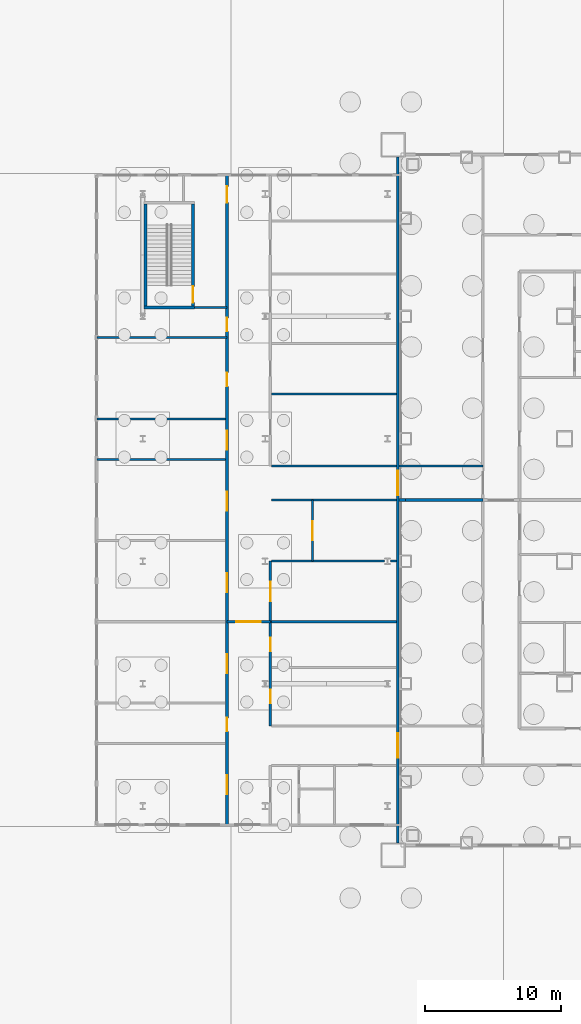
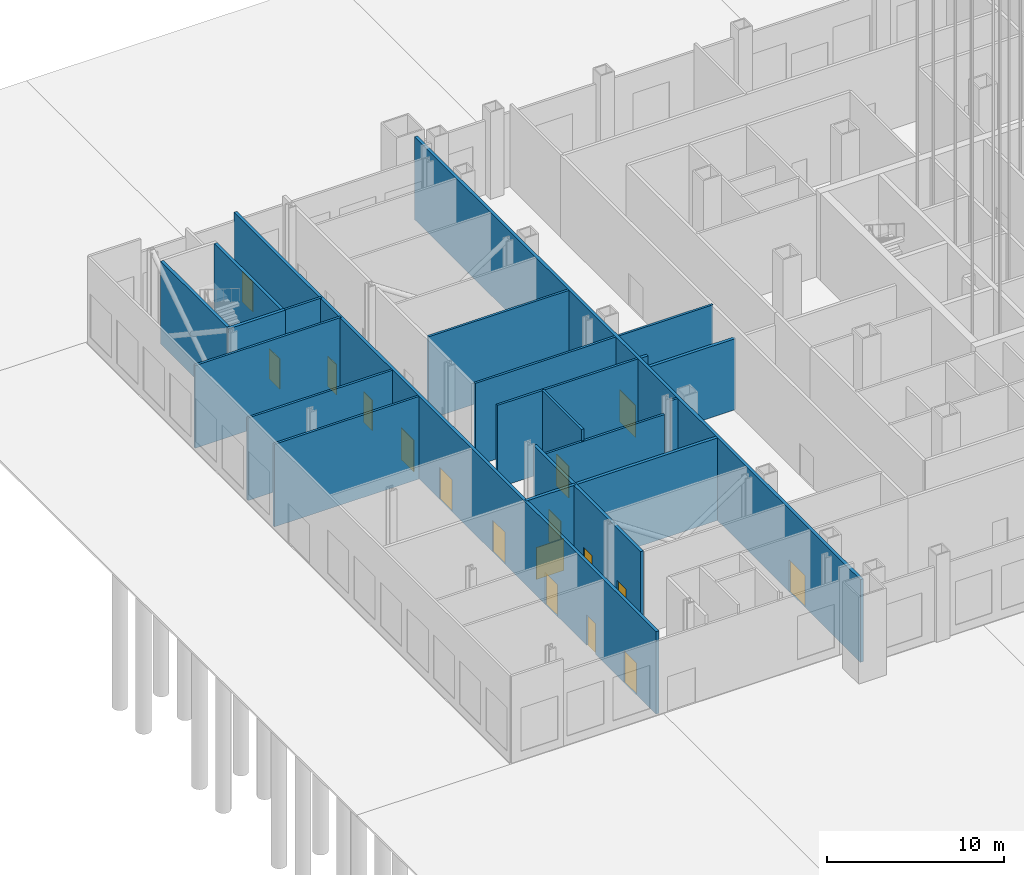
# One storey, part 6 of 36: 21 walls, 17 doors, 17 openings.
"""IFC4 building model written with IfcOpenShell, lengths in metres."""

from ifc_helpers import new_model, si_unit, direction, frame, frame_2d, origin, place, context, subcontext, project, spatial, rectangle, extrude, material, layer, layer_set, type_object, element, fill, save


model = new_model("IFC4")

# Units and contexts
model_context = context("Model", 3, precision=1e-05, world=origin(), true_north=direction((0.0, 1.0)))
body_context = subcontext(model_context, "Body", "Model", "MODEL_VIEW")
ifc_project = project(units=[si_unit("LENGTHUNIT", "METRE"), si_unit("AREAUNIT", "SQUARE_METRE"), si_unit("VOLUMEUNIT", "CUBIC_METRE"), si_unit("PLANEANGLEUNIT", "RADIAN"), si_unit("MASSUNIT", "GRAM", prefix="KILO")], contexts=[model_context])

# Site, building, storey
site_placement = place(None, origin())
site = spatial("IfcSite", under=ifc_project, at=site_placement, CompositionType="ELEMENT")
building_placement = place(site_placement, origin())
building = spatial("IfcBuilding", under=site, at=building_placement, Name="Malebo Sky Hospital", CompositionType="ELEMENT")
storey_placement = place(building_placement, origin())
storey = spatial("IfcBuildingStorey", under=building, at=storey_placement, Name="L00", CompositionType="ELEMENT", Elevation=0.0)

# Wall, openings, doors
ifc_material_1 = material(Name="Gypsum board on steel studs", Category="steel")
ifc_layer_1 = layer(ifc_material_1, 0.199951171875)
ifc_layer_set_1 = layer_set([ifc_layer_1], Name="CORRIDOR WALL 200")
wall_type_1 = type_object("IfcWallType", Name="CORRIDOR WALL 200", PredefinedType="PARTITIONING", material=ifc_layer_set_1)
wall_1_placement = place(storey_placement, frame((21.693115234375, 38.14990234375, 0.0), z_axis=(0.0, 0.0, 1.0), x_axis=(0.0, 1.0, 0.0)))
wall_1 = element("IfcWall", 1, at=wall_1_placement, inside=storey, type_object=wall_type_1, Name="Corridor Wall 200 WWC1", PredefinedType="PARTITIONING", context=body_context, shape_type="SweptSolid", body=[
    extrude(rectangle(XDim=47.7001953125, YDim=0.199951171875, at=frame_2d((23.85009765625, 0.0))), origin(), (0.0, 0.0, 1.0), 5.699951171875),
])
opening_1_placement = place(wall_1_placement, frame((45.699951171875, 0.0, 0.0)))
opening_1 = element("IfcOpeningElement", 2, at=opening_1_placement, cuts=wall_1, Name="Opening D08", PredefinedType="OPENING", context=body_context, shape_type="SweptSolid", body=[
    extrude(rectangle(XDim=1.199951171875, YDim=2.10009765625, at=frame_2d((0.60009765625, 1.050048828125))), frame((0.0, 0.10986328125, 0.0), z_axis=(0.0, -1.0, 0.0), x_axis=(1.0, 0.0, 0.0)), (0.0, 0.0, 1.0), 0.219970703125),
])
opening_2_placement = place(wall_1_placement, frame((36.24365234375, 0.0, 0.0)))
opening_2 = element("IfcOpeningElement", 3, at=opening_2_placement, cuts=wall_1, Name="Opening D03", PredefinedType="OPENING", context=body_context, shape_type="SweptSolid", body=[
    extrude(rectangle(XDim=1.0, YDim=2.10009765625, at=frame_2d((0.5, 1.050048828125))), frame((0.0, 0.10986328125, 0.0), z_axis=(0.0, -1.0, 0.0), x_axis=(1.0, 0.0, 0.0)), (0.0, 0.0, 1.0), 0.219970703125),
])
opening_3_placement = place(wall_1_placement, frame((2.221923828125, 0.0, 0.0)))
opening_3 = element("IfcOpeningElement", 4, at=opening_3_placement, cuts=wall_1, Name="Opening D25", PredefinedType="OPENING", context=body_context, shape_type="SweptSolid", body=[
    extrude(rectangle(XDim=1.39990234375, YDim=2.199951171875, at=frame_2d((0.699951171875, 1.10009765625))), frame((0.0, 0.10986328125, 0.0), z_axis=(0.0, -1.0, 0.0), x_axis=(1.0, 0.0, 0.0)), (0.0, 0.0, 1.0), 0.219970703125),
])
opening_4_placement = place(wall_1_placement, frame((6.8359375, 0.0, 0.0)))
opening_4 = element("IfcOpeningElement", 5, at=opening_4_placement, cuts=wall_1, Name="Opening D03", PredefinedType="OPENING", context=body_context, shape_type="SweptSolid", body=[
    extrude(rectangle(XDim=1.0, YDim=2.10009765625, at=frame_2d((0.5, 1.050048828125))), frame((0.0, 0.10986328125, 0.0), z_axis=(0.0, -1.0, 0.0), x_axis=(1.0, 0.0, 0.0)), (0.0, 0.0, 1.0), 0.219970703125),
])
opening_5_placement = place(wall_1_placement, frame((11.112548828125, 0.0, 0.0)))
opening_5 = element("IfcOpeningElement", 6, at=opening_5_placement, cuts=wall_1, Name="Opening D25", PredefinedType="OPENING", context=body_context, shape_type="SweptSolid", body=[
    extrude(rectangle(XDim=1.39990234375, YDim=2.199951171875, at=frame_2d((0.699951171875, 1.10009765625))), frame((0.0, 0.10986328125, 0.0), z_axis=(0.0, -1.0, 0.0), x_axis=(1.0, 0.0, 0.0)), (0.0, 0.0, 1.0), 0.219970703125),
])
opening_6_placement = place(wall_1_placement, frame((17.081298828125, 0.0, 0.0)))
opening_6 = element("IfcOpeningElement", 7, at=opening_6_placement, cuts=wall_1, Name="Opening D25", PredefinedType="OPENING", context=body_context, shape_type="SweptSolid", body=[
    extrude(rectangle(XDim=1.39990234375, YDim=2.199951171875, at=frame_2d((0.699951171875, 1.10009765625))), frame((0.0, 0.10986328125, 0.0), z_axis=(0.0, -1.0, 0.0), x_axis=(1.0, 0.0, 0.0)), (0.0, 0.0, 1.0), 0.219970703125),
])
opening_7_placement = place(wall_1_placement, frame((23.050048828125, 0.0, 0.0)))
opening_7 = element("IfcOpeningElement", 8, at=opening_7_placement, cuts=wall_1, Name="Opening D25", PredefinedType="OPENING", context=body_context, shape_type="SweptSolid", body=[
    extrude(rectangle(XDim=1.39990234375, YDim=2.199951171875, at=frame_2d((0.699951171875, 1.10009765625))), frame((0.0, 0.10986328125, 0.0), z_axis=(0.0, -1.0, 0.0), x_axis=(1.0, 0.0, 0.0)), (0.0, 0.0, 1.0), 0.219970703125),
])
opening_8_placement = place(wall_1_placement, frame((27.526611328125, 0.0, 0.0)))
opening_8 = element("IfcOpeningElement", 9, at=opening_8_placement, cuts=wall_1, Name="Opening D25", PredefinedType="OPENING", context=body_context, shape_type="SweptSolid", body=[
    extrude(rectangle(XDim=1.39990234375, YDim=2.199951171875, at=frame_2d((0.699951171875, 1.10009765625))), frame((0.0, 0.10986328125, 0.0), z_axis=(0.0, -1.0, 0.0), x_axis=(1.0, 0.0, 0.0)), (0.0, 0.0, 1.0), 0.219970703125),
])
opening_9_placement = place(wall_1_placement, frame((32.203125, 0.0, 0.0)))
opening_9 = element("IfcOpeningElement", 10, at=opening_9_placement, cuts=wall_1, Name="Opening D03", PredefinedType="OPENING", context=body_context, shape_type="SweptSolid", body=[
    extrude(rectangle(XDim=1.0, YDim=2.10009765625, at=frame_2d((0.5, 1.050048828125))), frame((0.0, 0.10986328125, 0.0), z_axis=(0.0, -1.0, 0.0), x_axis=(1.0, 0.0, 0.0)), (0.0, 0.0, 1.0), 0.219970703125),
])
ifc_material_2 = material(Name="Hardwood-faced door leaf in steel frame", Category="steel")
door_type_1 = type_object("IfcDoorType", Name="BED DOOR PAIR 1400", OperationType="DOUBLE_DOOR_SINGLE_SWING", PredefinedType="DOOR", material=ifc_material_2)
door_1_placement = place(opening_3_placement, origin())
door_1 = element("IfcDoor", 11, at=door_1_placement, inside=storey, type_object=door_type_1, Name="Resuscitation room door", OperationType="DOUBLE_DOOR_SINGLE_SWING", OverallHeight=2.199951171875, OverallWidth=1.39990234375, PredefinedType="DOOR", context=body_context, shape_type="SweptSolid", body=[
    extrude(rectangle(XDim=1.39990234375, YDim=2.199951171875, at=frame_2d((0.699951171875, 1.10009765625))), frame((0.0, 0.02490234375, 0.0), z_axis=(0.0, -1.0, 0.0), x_axis=(1.0, 0.0, 0.0)), (0.0, 0.0, 1.0), 0.050048828125),
])
fill(opening_3, door_1)
door_2_placement = place(opening_5_placement, origin())
door_2 = element("IfcDoor", 12, at=door_2_placement, inside=storey, type_object=door_type_1, Name="Majors treatment bay door", OperationType="DOUBLE_DOOR_SINGLE_SWING", OverallHeight=2.199951171875, OverallWidth=1.39990234375, PredefinedType="DOOR", context=body_context, shape_type="SweptSolid", body=[
    extrude(rectangle(XDim=1.39990234375, YDim=2.199951171875, at=frame_2d((0.699951171875, 1.10009765625))), frame((0.0, 0.02490234375, 0.0), z_axis=(0.0, -1.0, 0.0), x_axis=(1.0, 0.0, 0.0)), (0.0, 0.0, 1.0), 0.050048828125),
])
fill(opening_5, door_2)
door_3_placement = place(opening_6_placement, origin())
door_3 = element("IfcDoor", 13, at=door_3_placement, inside=storey, type_object=door_type_1, Name="Paediatric emergency room door", OperationType="DOUBLE_DOOR_SINGLE_SWING", OverallHeight=2.199951171875, OverallWidth=1.39990234375, PredefinedType="DOOR", context=body_context, shape_type="SweptSolid", body=[
    extrude(rectangle(XDim=1.39990234375, YDim=2.199951171875, at=frame_2d((0.699951171875, 1.10009765625))), frame((0.0, 0.02490234375, 0.0), z_axis=(0.0, -1.0, 0.0), x_axis=(1.0, 0.0, 0.0)), (0.0, 0.0, 1.0), 0.050048828125),
])
fill(opening_6, door_3)
door_4_placement = place(opening_7_placement, origin())
door_4 = element("IfcDoor", 14, at=door_4_placement, inside=storey, type_object=door_type_1, Name="Ambulance reception door", OperationType="DOUBLE_DOOR_SINGLE_SWING", OverallHeight=2.199951171875, OverallWidth=1.39990234375, PredefinedType="DOOR", context=body_context, shape_type="SweptSolid", body=[
    extrude(rectangle(XDim=1.39990234375, YDim=2.199951171875, at=frame_2d((0.699951171875, 1.10009765625))), frame((0.0, 0.02490234375, 0.0), z_axis=(0.0, -1.0, 0.0), x_axis=(1.0, 0.0, 0.0)), (0.0, 0.0, 1.0), 0.050048828125),
])
fill(opening_7, door_4)
door_5_placement = place(opening_8_placement, origin())
door_5 = element("IfcDoor", 15, at=door_5_placement, inside=storey, type_object=door_type_1, Name="Decontamination room door", OperationType="DOUBLE_DOOR_SINGLE_SWING", OverallHeight=2.199951171875, OverallWidth=1.39990234375, PredefinedType="DOOR", context=body_context, shape_type="SweptSolid", body=[
    extrude(rectangle(XDim=1.39990234375, YDim=2.199951171875, at=frame_2d((0.699951171875, 1.10009765625))), frame((0.0, 0.02490234375, 0.0), z_axis=(0.0, -1.0, 0.0), x_axis=(1.0, 0.0, 0.0)), (0.0, 0.0, 1.0), 0.050048828125),
])
fill(opening_8, door_5)
door_type_2 = type_object("IfcDoorType", Name="ROOM DOOR 1000", OperationType="SINGLE_SWING_LEFT", PredefinedType="DOOR", material=ifc_material_2)
door_6_placement = place(opening_2_placement, origin())
door_6 = element("IfcDoor", 16, at=door_6_placement, inside=storey, type_object=door_type_2, Name="Emergency equipment store door", OperationType="SINGLE_SWING_LEFT", OverallHeight=2.10009765625, OverallWidth=1.0, PredefinedType="DOOR", context=body_context, shape_type="SweptSolid", body=[
    extrude(rectangle(XDim=1.0, YDim=2.10009765625, at=frame_2d((0.5, 1.050048828125))), frame((0.0, 0.02490234375, 0.0), z_axis=(0.0, -1.0, 0.0), x_axis=(1.0, 0.0, 0.0)), (0.0, 0.0, 1.0), 0.050048828125),
])
fill(opening_2, door_6)
door_7_placement = place(opening_4_placement, origin())
door_7 = element("IfcDoor", 17, at=door_7_placement, inside=storey, type_object=door_type_2, Name="Plaster room door", OperationType="SINGLE_SWING_LEFT", OverallHeight=2.10009765625, OverallWidth=1.0, PredefinedType="DOOR", context=body_context, shape_type="SweptSolid", body=[
    extrude(rectangle(XDim=1.0, YDim=2.10009765625, at=frame_2d((0.5, 1.050048828125))), frame((0.0, 0.02490234375, 0.0), z_axis=(0.0, -1.0, 0.0), x_axis=(1.0, 0.0, 0.0)), (0.0, 0.0, 1.0), 0.050048828125),
])
fill(opening_4, door_7)
door_8_placement = place(opening_9_placement, origin())
door_8 = element("IfcDoor", 18, at=door_8_placement, inside=storey, type_object=door_type_2, Name="Emergency staff base door", OperationType="SINGLE_SWING_LEFT", OverallHeight=2.10009765625, OverallWidth=1.0, PredefinedType="DOOR", context=body_context, shape_type="SweptSolid", body=[
    extrude(rectangle(XDim=1.0, YDim=2.10009765625, at=frame_2d((0.5, 1.050048828125))), frame((0.0, 0.02490234375, 0.0), z_axis=(0.0, -1.0, 0.0), x_axis=(1.0, 0.0, 0.0)), (0.0, 0.0, 1.0), 0.050048828125),
])
fill(opening_9, door_8)
door_type_3 = type_object("IfcDoorType", Name="STAIR DOOR 1200", OperationType="SINGLE_SWING_LEFT", PredefinedType="DOOR", material=ifc_material_2)
door_9_placement = place(opening_1_placement, frame((1.199951171875, 0.0, 0.0), z_axis=(0.0, 0.0, 1.0), x_axis=(-1.0, 0.0, 0.0)))
door_9 = element("IfcDoor", 19, at=door_9_placement, inside=storey, type_object=door_type_3, Name="Stair lobby door", OperationType="SINGLE_SWING_LEFT", OverallHeight=2.10009765625, OverallWidth=1.199951171875, PredefinedType="DOOR", context=body_context, shape_type="SweptSolid", body=[
    extrude(rectangle(XDim=1.199951171875, YDim=2.10009765625, at=frame_2d((0.60009765625, 1.050048828125))), frame((0.0, 0.02490234375, 0.0), z_axis=(0.0, -1.0, 0.0), x_axis=(1.0, 0.0, 0.0)), (0.0, 0.0, 1.0), 0.050048828125),
])
fill(opening_1, door_9)

wall_2_placement = place(storey_placement, frame((24.882080078125, 45.39990234375, 0.0), z_axis=(0.0, 0.0, 1.0), x_axis=(0.0, 1.0, 0.0)))
wall_2 = element("IfcWall", 20, at=wall_2_placement, inside=storey, type_object=wall_type_1, Name="Corridor Wall 200 WWC2B", PredefinedType="PARTITIONING", context=body_context, shape_type="SweptSolid", body=[
    extrude(rectangle(XDim=12.10009765625, YDim=0.199951171875, at=frame_2d((6.050048828125, 0.0))), origin(), (0.0, 0.0, 1.0), 5.699951171875),
])
opening_10_placement = place(wall_2_placement, frame((1.64990234375, 0.0, 0.0)))
opening_10 = element("IfcOpeningElement", 21, at=opening_10_placement, cuts=wall_2, Name="Opening D03", PredefinedType="OPENING", context=body_context, shape_type="SweptSolid", body=[
    extrude(rectangle(XDim=1.0, YDim=2.10009765625, at=frame_2d((0.5, 1.050048828125))), frame((0.0, 0.10986328125, 0.0), z_axis=(0.0, -1.0, 0.0), x_axis=(1.0, 0.0, 0.0)), (0.0, 0.0, 1.0), 0.219970703125),
])
opening_11_placement = place(wall_2_placement, frame((5.473388671875, 0.0, 0.0)))
opening_11 = element("IfcOpeningElement", 22, at=opening_11_placement, cuts=wall_2, Name="Opening D03", PredefinedType="OPENING", context=body_context, shape_type="SweptSolid", body=[
    extrude(rectangle(XDim=1.0, YDim=2.10009765625, at=frame_2d((0.5, 1.050048828125))), frame((0.0, 0.10986328125, 0.0), z_axis=(0.0, -1.0, 0.0), x_axis=(1.0, 0.0, 0.0)), (0.0, 0.0, 1.0), 0.219970703125),
])
opening_12_placement = place(wall_2_placement, frame((9.173583984375, 0.0, 0.0)))
opening_12 = element("IfcOpeningElement", 23, at=opening_12_placement, cuts=wall_2, Name="Opening D25", PredefinedType="OPENING", context=body_context, shape_type="SweptSolid", body=[
    extrude(rectangle(XDim=1.39990234375, YDim=2.199951171875, at=frame_2d((0.699951171875, 1.10009765625))), frame((0.0, 0.10986328125, 0.0), z_axis=(0.0, -1.0, 0.0), x_axis=(1.0, 0.0, 0.0)), (0.0, 0.0, 1.0), 0.219970703125),
])
door_10_placement = place(opening_12_placement, origin())
door_10 = element("IfcDoor", 24, at=door_10_placement, inside=storey, type_object=door_type_1, Name="Majors treatment bay door", OperationType="DOUBLE_DOOR_SINGLE_SWING", OverallHeight=2.199951171875, OverallWidth=1.39990234375, PredefinedType="DOOR", context=body_context, shape_type="SweptSolid", body=[
    extrude(rectangle(XDim=1.39990234375, YDim=2.199951171875, at=frame_2d((0.699951171875, 1.10009765625))), frame((0.0, 0.02490234375, 0.0), z_axis=(0.0, -1.0, 0.0), x_axis=(1.0, 0.0, 0.0)), (0.0, 0.0, 1.0), 0.050048828125),
])
fill(opening_12, door_10)
door_11_placement = place(opening_10_placement, origin())
door_11 = element("IfcDoor", 25, at=door_11_placement, inside=storey, type_object=door_type_2, Name="Triage room door", OperationType="SINGLE_SWING_LEFT", OverallHeight=2.10009765625, OverallWidth=1.0, PredefinedType="DOOR", context=body_context, shape_type="SweptSolid", body=[
    extrude(rectangle(XDim=1.0, YDim=2.10009765625, at=frame_2d((0.5, 1.050048828125))), frame((0.0, 0.02490234375, 0.0), z_axis=(0.0, -1.0, 0.0), x_axis=(1.0, 0.0, 0.0)), (0.0, 0.0, 1.0), 0.050048828125),
])
fill(opening_10, door_11)
door_12_placement = place(opening_11_placement, origin())
door_12 = element("IfcDoor", 26, at=door_12_placement, inside=storey, type_object=door_type_2, Name="Minors treatment room door", OperationType="SINGLE_SWING_RIGHT", OverallHeight=2.10009765625, OverallWidth=1.0, PredefinedType="DOOR", context=body_context, shape_type="SweptSolid", body=[
    extrude(rectangle(XDim=1.0, YDim=2.10009765625, at=frame_2d((0.5, 1.050048828125))), frame((0.0, 0.02490234375, 0.0), z_axis=(0.0, -1.0, 0.0), x_axis=(1.0, 0.0, 0.0)), (0.0, 0.0, 1.0), 0.050048828125),
])
fill(opening_11, door_12)

ifc_material_3 = material(Name="Concrete blockwork", Category="masonry")
ifc_layer_2 = layer(ifc_material_3, 0.199951171875)
ifc_layer_set_2 = layer_set([ifc_layer_2], Name="MOVEMENT JOINT WALL 200")
wall_type_2 = type_object("IfcWallType", Name="MOVEMENT JOINT WALL 200", PredefinedType="SOLIDWALL", material=ifc_layer_set_2)
wall_3_placement = place(storey_placement, frame((34.25, 36.800048828125, 0.0), z_axis=(0.0, 0.0, 1.0), x_axis=(0.0, 1.0, 0.0)))
wall_3 = element("IfcWall", 27, at=wall_3_placement, inside=storey, type_object=wall_type_2, Name="Movement Joint Wall 200 WJ", PredefinedType="SOLIDWALL", context=body_context, shape_type="SweptSolid", body=[
    extrude(rectangle(XDim=50.39990234375, YDim=0.199951171875, at=frame_2d((25.199951171875, 0.0))), origin(), (0.0, 0.0, 1.0), 5.699951171875),
])
opening_13_placement = place(wall_3_placement, frame((6.25, 0.0, 0.0)))
opening_13 = element("IfcOpeningElement", 28, at=opening_13_placement, cuts=wall_3, Name="Opening D28", PredefinedType="OPENING", context=body_context, shape_type="SweptSolid", body=[
    extrude(rectangle(XDim=1.800048828125, YDim=2.199951171875, at=frame_2d((0.89990234375, 1.10009765625))), frame((0.0, 0.10986328125, 0.0), z_axis=(0.0, -1.0, 0.0), x_axis=(1.0, 0.0, 0.0)), (0.0, 0.0, 1.0), 0.219970703125),
])
opening_14_placement = place(wall_3_placement, frame((25.550048828125, 0.0, 0.0)))
opening_14 = element("IfcOpeningElement", 29, at=opening_14_placement, cuts=wall_3, Name="Opening D28", PredefinedType="OPENING", context=body_context, shape_type="SweptSolid", body=[
    extrude(rectangle(XDim=1.800048828125, YDim=2.199951171875, at=frame_2d((0.89990234375, 1.10009765625))), frame((0.0, 0.10986328125, 0.0), z_axis=(0.0, -1.0, 0.0), x_axis=(1.0, 0.0, 0.0)), (0.0, 0.0, 1.0), 0.219970703125),
])
door_type_4 = type_object("IfcDoorType", Name="FIRE DOOR PAIR 1800", OperationType="DOUBLE_DOOR_SINGLE_SWING", PredefinedType="DOOR", material=ifc_material_2)
door_13_placement = place(opening_13_placement, origin())
door_13 = element("IfcDoor", 30, at=door_13_placement, inside=storey, type_object=door_type_4, Name="Link fire door pair", OperationType="DOUBLE_DOOR_SINGLE_SWING", OverallHeight=2.199951171875, OverallWidth=1.800048828125, PredefinedType="DOOR", context=body_context, shape_type="SweptSolid", body=[
    extrude(rectangle(XDim=1.800048828125, YDim=2.199951171875, at=frame_2d((0.89990234375, 1.10009765625))), frame((0.0, 0.02490234375, 0.0), z_axis=(0.0, -1.0, 0.0), x_axis=(1.0, 0.0, 0.0)), (0.0, 0.0, 1.0), 0.050048828125),
])
fill(opening_13, door_13)
door_14_placement = place(opening_14_placement, origin())
door_14 = element("IfcDoor", 31, at=door_14_placement, inside=storey, type_object=door_type_4, Name="Link fire door pair", OperationType="DOUBLE_DOOR_SINGLE_SWING", OverallHeight=2.199951171875, OverallWidth=1.800048828125, PredefinedType="DOOR", context=body_context, shape_type="SweptSolid", body=[
    extrude(rectangle(XDim=1.800048828125, YDim=2.199951171875, at=frame_2d((0.89990234375, 1.10009765625))), frame((0.0, 0.02490234375, 0.0), z_axis=(0.0, -1.0, 0.0), x_axis=(1.0, 0.0, 0.0)), (0.0, 0.0, 1.0), 0.050048828125),
])
fill(opening_14, door_14)

# Walls
ifc_layer_3 = layer(ifc_material_1, 0.14990234375)
ifc_layer_set_3 = layer_set([ifc_layer_3], Name="PARTITION 150")
wall_type_3 = type_object("IfcWallType", Name="PARTITION 150", PredefinedType="PARTITIONING", material=ifc_layer_set_3)
wall_4_placement = place(storey_placement, frame((40.5, 64.5, 0.0), z_axis=(0.0, 0.0, 1.0), x_axis=(-1.0, 0.0, 0.0)))
element("IfcWall", 32, at=wall_4_placement, inside=storey, type_object=wall_type_3, Name="Partition 150 WP+2.5", PredefinedType="PARTITIONING", context=body_context, shape_type="SweptSolid", body=[
    extrude(rectangle(XDim=6.14990234375, YDim=0.14990234375, at=frame_2d((3.074951171875, 0.0))), origin(), (0.0, 0.0, 1.0), 5.699951171875),
])
wall_5_placement = place(storey_placement, frame((19.300048828125, 76.14990234375, 0.0), z_axis=(0.0, 0.0, 1.0), x_axis=(1.0, 0.0, 0.0)))
element("IfcWall", 33, at=wall_5_placement, inside=storey, type_object=wall_type_3, Name="Partition 150 WLS", PredefinedType="PARTITIONING", context=body_context, shape_type="SweptSolid", body=[
    extrude(rectangle(XDim=2.39306640625, YDim=0.14990234375, at=frame_2d((1.196533203125, 0.0))), origin(), (0.0, 0.0, 1.0), 5.699951171875),
])
wall_6_placement = place(storey_placement, frame((12.14990234375, 73.9375, 0.0), z_axis=(0.0, 0.0, 1.0), x_axis=(1.0, 0.0, 0.0)))
element("IfcWall", 34, at=wall_6_placement, inside=storey, type_object=wall_type_3, Name="Partition 150 WSP", PredefinedType="PARTITIONING", context=body_context, shape_type="SweptSolid", body=[
    extrude(rectangle(XDim=9.543212890625, YDim=0.14990234375, at=frame_2d((4.771484375, 0.0))), origin(), (0.0, 0.0, 1.0), 5.699951171875),
])
for number, where, z_axis, x_axis, name in (
    (35, (12.14990234375, 64.984375, 0.0), (0.0, 0.0, 1.0), (1.0, 0.0, 0.0), "Partition 150 WOH04"),
    (36, (12.14990234375, 67.96875, 0.0), (0.0, 0.0, 1.0), (1.0, 0.0, 0.0), "Partition 150 WOH05"),
):
    element("IfcWall", number, at=place(storey_placement, frame(where, z_axis=z_axis, x_axis=x_axis)), inside=storey, type_object=wall_type_3, Name=name, PredefinedType="PARTITIONING", context=body_context, shape_type="SweptSolid", body=[
        extrude(rectangle(XDim=9.443115234375, YDim=0.14990234375, at=frame_2d((4.7216796875, 0.0))), origin(), (0.0, 0.0, 1.0), 5.699951171875),
    ])
wall_7_placement = place(storey_placement, frame((24.98193359375, 57.5, 0.0), z_axis=(0.0, 0.0, 1.0), x_axis=(1.0, 0.0, 0.0)))
element("IfcWall", 37, at=wall_7_placement, inside=storey, type_object=wall_type_3, Name="Partition 150 WIH05", PredefinedType="PARTITIONING", context=body_context, shape_type="SweptSolid", body=[
    extrude(rectangle(XDim=8.302001953125, YDim=0.14990234375, at=frame_2d((4.15087890625, 0.0))), origin(), (0.0, 0.0, 1.0), 4.89990234375),
])
wall_8_placement = place(storey_placement, frame((33.716064453125, 57.5, 0.0), z_axis=(0.0, 0.0, 1.0), x_axis=(1.0, 0.0, 0.0)))
element("IfcWall", 38, at=wall_8_placement, inside=storey, type_object=wall_type_3, Name="Partition 150 WIH05", PredefinedType="PARTITIONING", context=body_context, shape_type="SweptSolid", body=[
    extrude(rectangle(XDim=0.433837890625, YDim=0.14990234375, at=frame_2d((0.216796875, 0.0))), origin(), (0.0, 0.0, 1.0), 5.699951171875),
])
for number, where, z_axis, x_axis, name in (
    (39, (24.98193359375, 62.0, 0.0), (0.0, 0.0, 1.0), (1.0, 0.0, 0.0), "Partition 150 WIH06"),
    (40, (24.98193359375, 64.5, 0.0), (0.0, 0.0, 1.0), (1.0, 0.0, 0.0), "Partition 150 WIH07"),
    (41, (24.98193359375, 69.800048828125, 0.0), (0.0, 0.0, 1.0), (1.0, 0.0, 0.0), "Partition 150 WIH08"),
):
    element("IfcWall", number, at=place(storey_placement, frame(where, z_axis=z_axis, x_axis=x_axis)), inside=storey, type_object=wall_type_3, Name=name, PredefinedType="PARTITIONING", context=body_context, shape_type="SweptSolid", body=[
        extrude(rectangle(XDim=9.16796875, YDim=0.14990234375, at=frame_2d((4.583984375, 0.0))), origin(), (0.0, 0.0, 1.0), 5.699951171875),
    ])

# Wall, opening, door
wall_9_placement = place(storey_placement, frame((27.98193359375, 57.5, 0.0), z_axis=(0.0, 0.0, 1.0), x_axis=(0.0, 1.0, 0.0)))
wall_9 = element("IfcWall", 42, at=wall_9_placement, inside=storey, type_object=wall_type_3, Name="Partition 150 WIV13", PredefinedType="PARTITIONING", context=body_context, shape_type="SweptSolid", body=[
    extrude(rectangle(XDim=4.5, YDim=0.14990234375, at=frame_2d((2.25, 0.0))), origin(), (0.0, 0.0, 1.0), 5.699951171875),
])
opening_15_placement = place(wall_9_placement, frame((1.550048828125, 0.0, 0.0)))
opening_15 = element("IfcOpeningElement", 43, at=opening_15_placement, cuts=wall_9, Name="Opening D25", PredefinedType="OPENING", context=body_context, shape_type="SweptSolid", body=[
    extrude(rectangle(XDim=1.39990234375, YDim=2.199951171875, at=frame_2d((0.699951171875, 1.10009765625))), frame((0.0, 0.0849609375, 0.0), z_axis=(0.0, -1.0, 0.0), x_axis=(1.0, 0.0, 0.0)), (0.0, 0.0, 1.0), 0.169921875),
])
door_15_placement = place(opening_15_placement, origin())
door_15 = element("IfcDoor", 44, at=door_15_placement, inside=storey, type_object=door_type_1, Name="Emergency observation room inner door", OperationType="DOUBLE_DOOR_SINGLE_SWING", OverallHeight=2.199951171875, OverallWidth=1.39990234375, PredefinedType="DOOR", context=body_context, shape_type="SweptSolid", body=[
    extrude(rectangle(XDim=1.39990234375, YDim=2.199951171875, at=frame_2d((0.699951171875, 1.10009765625))), frame((0.0, 0.02490234375, 0.0), z_axis=(0.0, -1.0, 0.0), x_axis=(1.0, 0.0, 0.0)), (0.0, 0.0, 1.0), 0.050048828125),
])
fill(opening_15, door_15)

# Walls
ifc_layer_4 = layer(ifc_material_3, 0.199951171875)
ifc_layer_set_4 = layer_set([ifc_layer_4], Name="SMOKE BARRIER WALL 200")
wall_type_4 = type_object("IfcWallType", Name="SMOKE BARRIER WALL 200", PredefinedType="SOLIDWALL", material=ifc_layer_set_4)
wall_10_placement = place(storey_placement, frame((40.5, 62.0, 0.0), z_axis=(0.0, 0.0, 1.0), x_axis=(-1.0, 0.0, 0.0)))
element("IfcWall", 45, at=wall_10_placement, inside=storey, type_object=wall_type_4, Name="Smoke Barrier Wall 200 WP+0.0", PredefinedType="SOLIDWALL", context=body_context, shape_type="SweptSolid", body=[
    extrude(rectangle(XDim=5.699951171875, YDim=0.199951171875, at=frame_2d((2.85009765625, 0.0))), origin(), (0.0, 0.0, 1.0), 4.89990234375),
])
wall_11_placement = place(storey_placement, frame((34.800048828125, 62.0, 0.0), z_axis=(0.0, 0.0, 1.0), x_axis=(-1.0, 0.0, 0.0)))
element("IfcWall", 46, at=wall_11_placement, inside=storey, type_object=wall_type_4, Name="Smoke Barrier Wall 200 WP+0.0", PredefinedType="SOLIDWALL", context=body_context, shape_type="SweptSolid", body=[
    extrude(rectangle(XDim=0.449951171875, YDim=0.199951171875, at=frame_2d((0.22509765625, 0.0))), origin(), (0.0, 0.0, 1.0), 5.699951171875),
])

# Wall, opening, door
wall_12_placement = place(storey_placement, frame((21.693115234375, 53.046875, 0.0), z_axis=(0.0, 0.0, 1.0), x_axis=(1.0, 0.0, 0.0)))
wall_12 = element("IfcWall", 47, at=wall_12_placement, inside=storey, type_object=wall_type_4, Name="Smoke Barrier Wall 200 WWSB", PredefinedType="SOLIDWALL", context=body_context, shape_type="SweptSolid", body=[
    extrude(rectangle(XDim=3.18896484375, YDim=0.199951171875, at=frame_2d((1.594482421875, 0.0))), origin(), (0.0, 0.0, 1.0), 5.699951171875),
])
opening_16_placement = place(wall_12_placement, frame((0.694580078125, 0.0, 0.0)))
opening_16 = element("IfcOpeningElement", 48, at=opening_16_placement, cuts=wall_12, Name="Opening D05", PredefinedType="OPENING", context=body_context, shape_type="SweptSolid", body=[
    extrude(rectangle(XDim=1.800048828125, YDim=2.199951171875, at=frame_2d((0.89990234375, 1.10009765625))), frame((0.0, 0.10986328125, 0.0), z_axis=(0.0, -1.0, 0.0), x_axis=(1.0, 0.0, 0.0)), (0.0, 0.0, 1.0), 0.219970703125),
])
door_type_5 = type_object("IfcDoorType", Name="SMOKE DOOR PAIR 1800", OperationType="DOUBLE_DOOR_DOUBLE_SWING", PredefinedType="DOOR", material=ifc_material_2)
door_16_placement = place(opening_16_placement, origin())
door_16 = element("IfcDoor", 49, at=door_16_placement, inside=storey, type_object=door_type_5, Name="Smoke compartment door pair", OperationType="DOUBLE_DOOR_DOUBLE_SWING", OverallHeight=2.199951171875, OverallWidth=1.800048828125, PredefinedType="DOOR", context=body_context, shape_type="SweptSolid", body=[
    extrude(rectangle(XDim=1.800048828125, YDim=2.199951171875, at=frame_2d((0.89990234375, 1.10009765625))), frame((0.0, 0.02490234375, 0.0), z_axis=(0.0, -1.0, 0.0), x_axis=(1.0, 0.0, 0.0)), (0.0, 0.0, 1.0), 0.050048828125),
])
fill(opening_16, door_16)

# Walls
wall_13_placement = place(storey_placement, frame((24.98193359375, 53.046875, 0.0), z_axis=(0.0, 0.0, 1.0), x_axis=(1.0, 0.0, 0.0)))
element("IfcWall", 50, at=wall_13_placement, inside=storey, type_object=wall_type_4, Name="Smoke Barrier Wall 200 WIH04", PredefinedType="SOLIDWALL", context=body_context, shape_type="SweptSolid", body=[
    extrude(rectangle(XDim=9.16796875, YDim=0.199951171875, at=frame_2d((4.583984375, 0.0))), origin(), (0.0, 0.0, 1.0), 5.699951171875),
])
ifc_material_4 = material(Name="Concrete C40/50", Category="concrete")
ifc_layer_5 = layer(ifc_material_4, 0.199951171875)
ifc_layer_set_5 = layer_set([ifc_layer_5], Name="STAIR ENCLOSURE WALL 200")
wall_type_5 = type_object("IfcWallType", Name="STAIR ENCLOSURE WALL 200", PredefinedType="SOLIDWALL", material=ifc_layer_set_5)
wall_14_placement = place(storey_placement, frame((15.60009765625, 76.14990234375, 0.0), z_axis=(0.0, 0.0, 1.0), x_axis=(1.0, 0.0, 0.0)))
element("IfcWall", 51, at=wall_14_placement, inside=storey, type_object=wall_type_5, Name="Stair Enclosure Wall 200 WSS", PredefinedType="SOLIDWALL", context=body_context, shape_type="SweptSolid", body=[
    extrude(rectangle(XDim=3.699951171875, YDim=0.199951171875, at=frame_2d((1.85009765625, 0.0))), origin(), (0.0, 0.0, 1.0), 5.699951171875),
])
wall_15_placement = place(storey_placement, frame((15.699951171875, 76.25, 0.0), z_axis=(0.0, 0.0, 1.0), x_axis=(0.0, 1.0, 0.0)))
element("IfcWall", 52, at=wall_15_placement, inside=storey, type_object=wall_type_5, Name="Stair Enclosure Wall 200 WSW", PredefinedType="SOLIDWALL", context=body_context, shape_type="SweptSolid", body=[
    extrude(rectangle(XDim=7.5, YDim=0.199951171875, at=frame_2d((3.75, 0.0))), origin(), (0.0, 0.0, 1.0), 5.699951171875),
])

# Wall, opening, door
wall_16_placement = place(storey_placement, frame((19.199951171875, 76.25, 0.0), z_axis=(0.0, 0.0, 1.0), x_axis=(0.0, 1.0, 0.0)))
wall_16 = element("IfcWall", 53, at=wall_16_placement, inside=storey, type_object=wall_type_5, Name="Stair Enclosure Wall 200 WSE", PredefinedType="SOLIDWALL", context=body_context, shape_type="SweptSolid", body=[
    extrude(rectangle(XDim=7.5, YDim=0.199951171875, at=frame_2d((3.75, 0.0))), origin(), (0.0, 0.0, 1.0), 5.699951171875),
])
opening_17_placement = place(wall_16_placement, frame((0.25, 0.0, 0.0)))
opening_17 = element("IfcOpeningElement", 54, at=opening_17_placement, cuts=wall_16, Name="Opening D08", PredefinedType="OPENING", context=body_context, shape_type="SweptSolid", body=[
    extrude(rectangle(XDim=1.199951171875, YDim=2.10009765625, at=frame_2d((0.60009765625, 1.050048828125))), frame((0.0, 0.10986328125, 0.0), z_axis=(0.0, -1.0, 0.0), x_axis=(1.0, 0.0, 0.0)), (0.0, 0.0, 1.0), 0.219970703125),
])
door_17_placement = place(opening_17_placement, frame((1.199951171875, 0.0, 0.0), z_axis=(0.0, 0.0, 1.0), x_axis=(-1.0, 0.0, 0.0)))
door_17 = element("IfcDoor", 55, at=door_17_placement, inside=storey, type_object=door_type_3, Name="Stair WS door", OperationType="SINGLE_SWING_RIGHT", OverallHeight=2.10009765625, OverallWidth=1.199951171875, PredefinedType="DOOR", context=body_context, shape_type="SweptSolid", body=[
    extrude(rectangle(XDim=1.199951171875, YDim=2.10009765625, at=frame_2d((0.60009765625, 1.050048828125))), frame((0.0, 0.02490234375, 0.0), z_axis=(0.0, -1.0, 0.0), x_axis=(1.0, 0.0, 0.0)), (0.0, 0.0, 1.0), 0.050048828125),
])
fill(opening_17, door_17)

save(model, "model.ifc")
